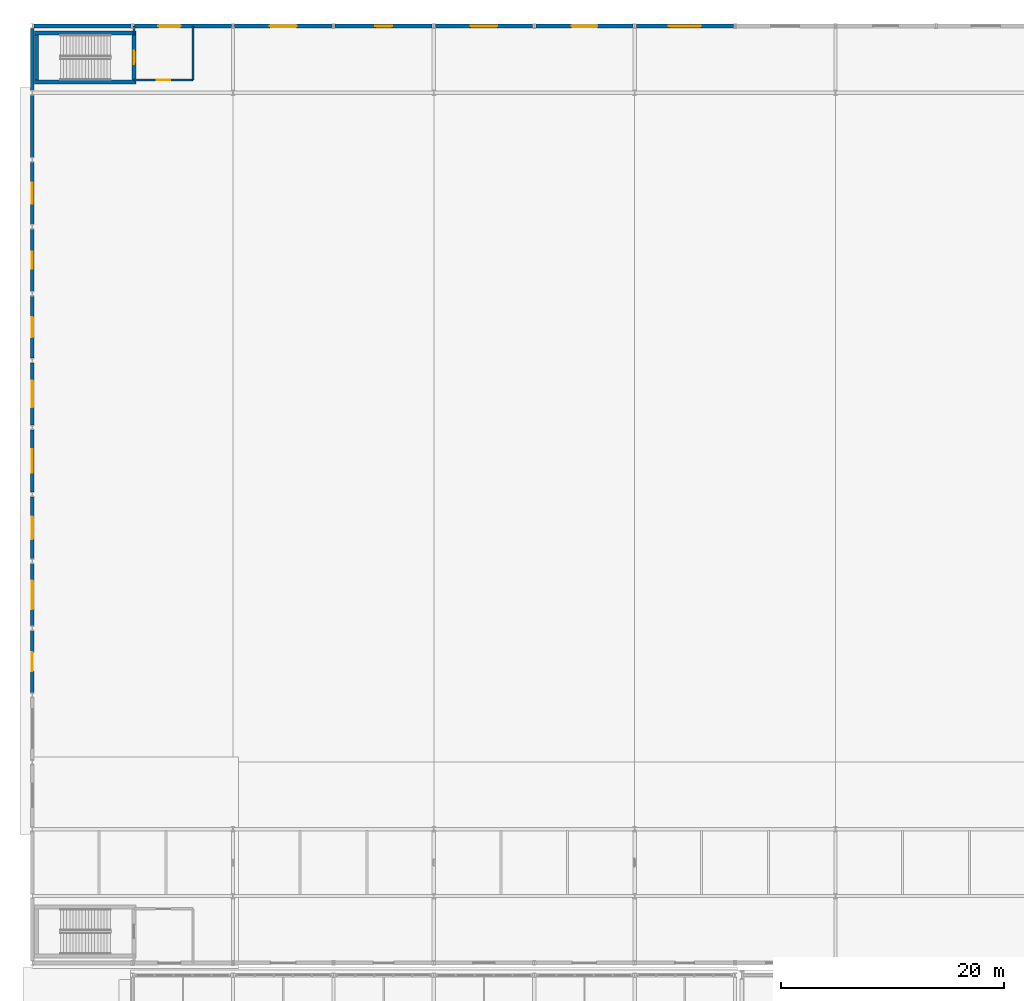
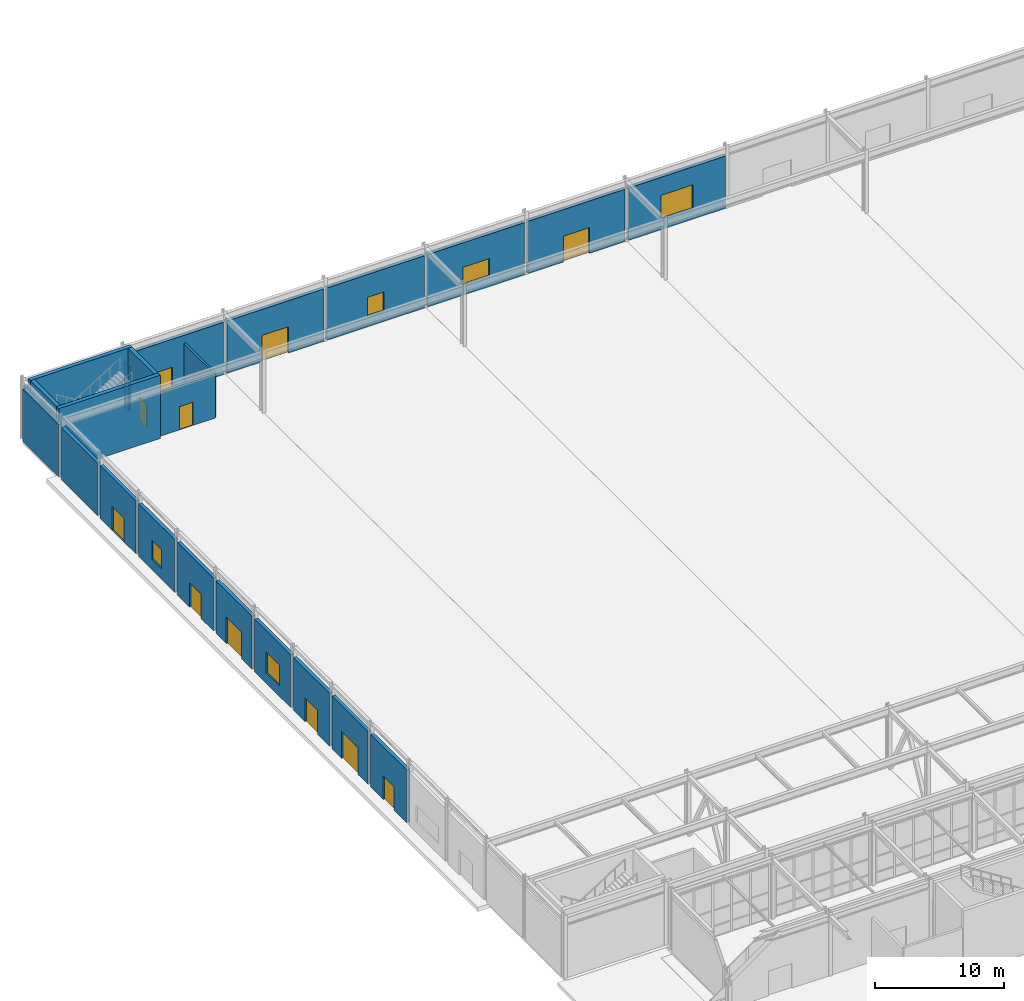
# One storey, part 122 of 146: 24 walls, 11 doors, 5 windows, 16 openings.
"""IFC4 building model written with IfcOpenShell, lengths in metres."""

from ifc_helpers import new_model, si_unit, direction, frame, frame_2d, origin, place, context, subcontext, project, spatial, rectangle, extrude, material, layer, layer_set, type_object, element, fill, save


model = new_model("IFC4")

# Units and contexts
model_context = context("Model", 3, precision=1e-05, world=origin(), true_north=direction((0.0, 1.0)))
body_context = subcontext(model_context, "Body", "Model", "MODEL_VIEW")
ifc_project = project(units=[si_unit("LENGTHUNIT", "METRE"), si_unit("AREAUNIT", "SQUARE_METRE"), si_unit("VOLUMEUNIT", "CUBIC_METRE"), si_unit("PLANEANGLEUNIT", "RADIAN"), si_unit("MASSUNIT", "GRAM", prefix="KILO")], contexts=[model_context])

# Site, building, storey
site_placement = place(None, origin())
site = spatial("IfcSite", under=ifc_project, at=site_placement, CompositionType="ELEMENT")
building_placement = place(site_placement, origin())
building = spatial("IfcBuilding", under=site, at=building_placement, Name="Kaldris Quays Convention Centre", CompositionType="ELEMENT")
storey_placement = place(building_placement, origin())
storey = spatial("IfcBuildingStorey", under=building, at=storey_placement, Name="L00", CompositionType="ELEMENT", Elevation=0.0)

# Wall
ifc_material_1 = material(Name="Concrete C35/45", Category="concrete")
ifc_layer_1 = layer(ifc_material_1, 0.344970703125)
ifc_layer_set_1 = layer_set([ifc_layer_1], Name="Concrete C35/45")
wall_type_1 = type_object("IfcWallType", Name="EXTERIOR WALL EW01", PredefinedType="STANDARD", material=ifc_layer_set_1)
wall_1_placement = place(storey_placement, frame((20.1494140625, 140.0, 0.0), z_axis=(0.0, 0.0, 1.0), x_axis=(1.0, 0.0, 0.0)))
element("IfcWall", 1, at=wall_1_placement, inside=storey, type_object=wall_type_1, Name="L00 Exterior Wall EW01 2", PredefinedType="STANDARD", context=body_context, shape_type="SweptSolid", body=[
    extrude(rectangle(XDim=8.701171875, YDim=0.344970703125, at=frame_2d((4.3505859375, 0.0))), origin(), (0.0, 0.0, 1.0), 4.9580078125),
])

# Wall, opening, door
wall_2_placement = place(storey_placement, frame((29.1494140625, 140.0, 0.0), z_axis=(0.0, 0.0, 1.0), x_axis=(1.0, 0.0, 0.0)))
wall_2 = element("IfcWall", 2, at=wall_2_placement, inside=storey, type_object=wall_type_1, Name="L00 Exterior Wall EW01 6", PredefinedType="STANDARD", context=body_context, shape_type="SweptSolid", body=[
    extrude(rectangle(XDim=8.701171875, YDim=0.344970703125, at=frame_2d((4.3505859375, 0.0))), origin(), (0.0, 0.0, 1.0), 4.9580078125),
])
opening_1_placement = place(wall_2_placement, frame((2.150146484375, 0.0, 0.0)))
opening_1 = element("IfcOpeningElement", 3, at=opening_1_placement, cuts=wall_2, Name="Opening ED01", PredefinedType="OPENING", context=body_context, shape_type="SweptSolid", body=[
    extrude(rectangle(XDim=2.0, YDim=2.300048828125, at=frame_2d((1.0, 1.14990234375))), frame((0.0, 0.1826171875, 0.0), z_axis=(0.0, -1.0, 0.0), x_axis=(1.0, 0.0, 0.0)), (0.0, 0.0, 1.0), 0.364990234375),
])
ifc_material_2 = material(Name="Thermally broken anodized aluminium and laminated safety glass", Category="aluminium")
door_type_1 = type_object("IfcDoorType", Name="EXTERIOR DOOR ED01", OperationType="DOUBLE_DOOR_SINGLE_SWING", PredefinedType="DOOR", material=ifc_material_2)
door_1_placement = place(opening_1_placement, origin())
door_1 = element("IfcDoor", 4, at=door_1_placement, inside=storey, type_object=door_type_1, Name="L00 Stair ST03 Final Exterior Exit Door ED01", OperationType="DOUBLE_DOOR_SINGLE_SWING", OverallHeight=2.300048828125, OverallWidth=2.0, PredefinedType="DOOR", context=body_context, shape_type="SweptSolid", body=[
    extrude(rectangle(XDim=2.0, YDim=2.300048828125, at=frame_2d((1.0, 1.14990234375))), frame((0.0, 0.02490234375, 0.0), z_axis=(0.0, -1.0, 0.0), x_axis=(1.0, 0.0, 0.0)), (0.0, 0.0, 1.0), 0.050048828125),
])
fill(opening_1, door_1)

wall_3_placement = place(storey_placement, frame((38.1494140625, 140.0, 0.0), z_axis=(0.0, 0.0, 1.0), x_axis=(1.0, 0.0, 0.0)))
wall_3 = element("IfcWall", 5, at=wall_3_placement, inside=storey, type_object=wall_type_1, Name="L00 Exterior Wall EW01 8", PredefinedType="STANDARD", context=body_context, shape_type="SweptSolid", body=[
    extrude(rectangle(XDim=8.701171875, YDim=0.344970703125, at=frame_2d((4.3505859375, 0.0))), origin(), (0.0, 0.0, 1.0), 4.9580078125),
])
opening_2_placement = place(wall_3_placement, frame((3.150390625, 0.0, 0.0)))
opening_2 = element("IfcOpeningElement", 6, at=opening_2_placement, cuts=wall_3, Name="Opening ED03", PredefinedType="OPENING", context=body_context, shape_type="SweptSolid", body=[
    extrude(rectangle(XDim=2.39990234375, YDim=2.5, at=frame_2d((1.199951171875, 1.25))), frame((0.0, 0.1826171875, 0.0), z_axis=(0.0, -1.0, 0.0), x_axis=(1.0, 0.0, 0.0)), (0.0, 0.0, 1.0), 0.364990234375),
])
door_type_2 = type_object("IfcDoorType", Name="EXTERIOR DOOR ED03", OperationType="DOUBLE_DOOR_SINGLE_SWING", PredefinedType="DOOR", material=ifc_material_2)
door_2_placement = place(opening_2_placement, origin())
door_2 = element("IfcDoor", 7, at=door_2_placement, inside=storey, type_object=door_type_2, Name="L00 Exterior Exit Door ED03 2", OperationType="DOUBLE_DOOR_SINGLE_SWING", OverallHeight=2.5, OverallWidth=2.39990234375, PredefinedType="DOOR", context=body_context, shape_type="SweptSolid", body=[
    extrude(rectangle(XDim=2.39990234375, YDim=2.5, at=frame_2d((1.199951171875, 1.25))), frame((0.0, 0.02490234375, 0.0), z_axis=(0.0, -1.0, 0.0), x_axis=(1.0, 0.0, 0.0)), (0.0, 0.0, 1.0), 0.050048828125),
])
fill(opening_2, door_2)

# Wall, opening, window
wall_4_placement = place(storey_placement, frame((47.1494140625, 140.0, 0.0), z_axis=(0.0, 0.0, 1.0), x_axis=(1.0, 0.0, 0.0)))
wall_4 = element("IfcWall", 8, at=wall_4_placement, inside=storey, type_object=wall_type_1, Name="L00 Exterior Wall EW01 12", PredefinedType="STANDARD", context=body_context, shape_type="SweptSolid", body=[
    extrude(rectangle(XDim=8.701171875, YDim=0.344970703125, at=frame_2d((4.3505859375, 0.0))), origin(), (0.0, 0.0, 1.0), 4.9580078125),
])
opening_3_placement = place(wall_4_placement, frame((3.6005859375, 0.0, 1.0)))
opening_3 = element("IfcOpeningElement", 9, at=opening_3_placement, cuts=wall_4, Name="Opening WN08", PredefinedType="OPENING", context=body_context, shape_type="SweptSolid", body=[
    extrude(rectangle(XDim=1.5, YDim=1.800048828125, at=frame_2d((0.75, 0.89990234375))), frame((0.0, 0.1826171875, 0.0), z_axis=(0.0, -1.0, 0.0), x_axis=(1.0, 0.0, 0.0)), (0.0, 0.0, 1.0), 0.364990234375),
])
ifc_material_3 = material(Name="Triple low-E insulated glazing", Category="glass")
window_type_1 = type_object("IfcWindowType", Name="TRIPLE GLAZED WINDOW WN08", PartitioningType="SINGLE_PANEL", PredefinedType="WINDOW", material=ifc_material_3)
window_1_placement = place(opening_3_placement, origin())
window_1 = element("IfcWindow", 10, at=window_1_placement, inside=storey, type_object=window_type_1, Name="L00 Exterior Window WN08 3", OverallHeight=1.800048828125, OverallWidth=1.5, PartitioningType="SINGLE_PANEL", PredefinedType="WINDOW", context=body_context, shape_type="SweptSolid", body=[
    extrude(rectangle(XDim=1.5, YDim=1.800048828125, at=frame_2d((0.75, 0.89990234375))), frame((0.0, 0.030029296875, 0.0), z_axis=(0.0, -1.0, 0.0), x_axis=(1.0, 0.0, 0.0)), (0.0, 0.0, 1.0), 0.06005859375),
])
fill(opening_3, window_1)

wall_5_placement = place(storey_placement, frame((56.1494140625, 140.0, 0.0), z_axis=(0.0, 0.0, 1.0), x_axis=(1.0, 0.0, 0.0)))
wall_5 = element("IfcWall", 11, at=wall_5_placement, inside=storey, type_object=wall_type_1, Name="L00 Exterior Wall EW01 14", PredefinedType="STANDARD", context=body_context, shape_type="SweptSolid", body=[
    extrude(rectangle(XDim=8.701171875, YDim=0.344970703125, at=frame_2d((4.3505859375, 0.0))), origin(), (0.0, 0.0, 1.0), 4.9580078125),
])
opening_4_placement = place(wall_5_placement, frame((3.150390625, 0.0, 1.0)))
opening_4 = element("IfcOpeningElement", 12, at=opening_4_placement, cuts=wall_5, Name="Opening WN09", PredefinedType="OPENING", context=body_context, shape_type="SweptSolid", body=[
    extrude(rectangle(XDim=2.39990234375, YDim=1.64990234375, at=frame_2d((1.199951171875, 0.824951171875))), frame((0.0, 0.1826171875, 0.0), z_axis=(0.0, -1.0, 0.0), x_axis=(1.0, 0.0, 0.0)), (0.0, 0.0, 1.0), 0.364990234375),
])
window_type_2 = type_object("IfcWindowType", Name="TRIPLE GLAZED WINDOW WN09", PartitioningType="SINGLE_PANEL", PredefinedType="WINDOW", material=ifc_material_3)
window_2_placement = place(opening_4_placement, origin())
window_2 = element("IfcWindow", 13, at=window_2_placement, inside=storey, type_object=window_type_2, Name="L00 Exterior Window WN09 4", OverallHeight=1.64990234375, OverallWidth=2.39990234375, PartitioningType="SINGLE_PANEL", PredefinedType="WINDOW", context=body_context, shape_type="SweptSolid", body=[
    extrude(rectangle(XDim=2.39990234375, YDim=1.64990234375, at=frame_2d((1.199951171875, 0.824951171875))), frame((0.0, 0.030029296875, 0.0), z_axis=(0.0, -1.0, 0.0), x_axis=(1.0, 0.0, 0.0)), (0.0, 0.0, 1.0), 0.06005859375),
])
fill(opening_4, window_2)

# Wall, opening, door
wall_6_placement = place(storey_placement, frame((65.1494140625, 140.0, 0.0), z_axis=(0.0, 0.0, 1.0), x_axis=(1.0, 0.0, 0.0)))
wall_6 = element("IfcWall", 14, at=wall_6_placement, inside=storey, type_object=wall_type_1, Name="L00 Exterior Wall EW01 18", PredefinedType="STANDARD", context=body_context, shape_type="SweptSolid", body=[
    extrude(rectangle(XDim=8.701171875, YDim=0.344970703125, at=frame_2d((4.3505859375, 0.0))), origin(), (0.0, 0.0, 1.0), 4.9580078125),
])
opening_5_placement = place(wall_6_placement, frame((3.1904296875, 0.0, 0.0)))
opening_5 = element("IfcOpeningElement", 15, at=opening_5_placement, cuts=wall_6, Name="Opening ED09", PredefinedType="OPENING", context=body_context, shape_type="SweptSolid", body=[
    extrude(rectangle(XDim=2.320068359375, YDim=2.43994140625, at=frame_2d((1.16015625, 1.219970703125))), frame((0.0, 0.1826171875, 0.0), z_axis=(0.0, -1.0, 0.0), x_axis=(1.0, 0.0, 0.0)), (0.0, 0.0, 1.0), 0.364990234375),
])
door_type_3 = type_object("IfcDoorType", Name="EXTERIOR DOOR ED09", OperationType="DOUBLE_DOOR_SINGLE_SWING", PredefinedType="DOOR", material=ifc_material_2)
door_3_placement = place(opening_5_placement, origin())
door_3 = element("IfcDoor", 16, at=door_3_placement, inside=storey, type_object=door_type_3, Name="L00 Exterior Exit Door ED09 6", OperationType="DOUBLE_DOOR_SINGLE_SWING", OverallHeight=2.43994140625, OverallWidth=2.320068359375, PredefinedType="DOOR", context=body_context, shape_type="SweptSolid", body=[
    extrude(rectangle(XDim=2.320068359375, YDim=2.43994140625, at=frame_2d((1.16015625, 1.219970703125))), frame((0.0, 0.02490234375, 0.0), z_axis=(0.0, -1.0, 0.0), x_axis=(1.0, 0.0, 0.0)), (0.0, 0.0, 1.0), 0.050048828125),
])
fill(opening_5, door_3)

# Wall, opening, window
wall_7_placement = place(storey_placement, frame((74.1494140625, 140.0, 0.0), z_axis=(0.0, 0.0, 1.0), x_axis=(1.0, 0.0, 0.0)))
wall_7 = element("IfcWall", 17, at=wall_7_placement, inside=storey, type_object=wall_type_1, Name="L00 Exterior Wall EW01 20", PredefinedType="STANDARD", context=body_context, shape_type="SweptSolid", body=[
    extrude(rectangle(XDim=8.701171875, YDim=0.344970703125, at=frame_2d((4.3505859375, 0.0))), origin(), (0.0, 0.0, 1.0), 4.9580078125),
])
opening_6_placement = place(wall_7_placement, frame((2.925537109375, 0.0, 1.0)))
opening_6 = element("IfcOpeningElement", 18, at=opening_6_placement, cuts=wall_7, Name="Opening WN12", PredefinedType="OPENING", context=body_context, shape_type="SweptSolid", body=[
    extrude(rectangle(XDim=2.85009765625, YDim=2.25, at=frame_2d((1.425048828125, 1.125))), frame((0.0, 0.1826171875, 0.0), z_axis=(0.0, -1.0, 0.0), x_axis=(1.0, 0.0, 0.0)), (0.0, 0.0, 1.0), 0.364990234375),
])
window_type_3 = type_object("IfcWindowType", Name="TRIPLE GLAZED WINDOW WN12", PartitioningType="SINGLE_PANEL", PredefinedType="WINDOW", material=ifc_material_3)
window_3_placement = place(opening_6_placement, origin())
window_3 = element("IfcWindow", 19, at=window_3_placement, inside=storey, type_object=window_type_3, Name="L00 Exterior Window WN12 7", OverallHeight=2.25, OverallWidth=2.85009765625, PartitioningType="SINGLE_PANEL", PredefinedType="WINDOW", context=body_context, shape_type="SweptSolid", body=[
    extrude(rectangle(XDim=2.85009765625, YDim=2.25, at=frame_2d((1.425048828125, 1.125))), frame((0.0, 0.030029296875, 0.0), z_axis=(0.0, -1.0, 0.0), x_axis=(1.0, 0.0, 0.0)), (0.0, 0.0, 1.0), 0.06005859375),
])
fill(opening_6, window_3)

# Wall, opening, door
ifc_layer_2 = layer(ifc_material_1, 0.31201171875)
ifc_layer_set_2 = layer_set([ifc_layer_2], Name="Concrete C35/45")
wall_type_2 = type_object("IfcWallType", Name="EXTERIOR WALL EW02", PredefinedType="STANDARD", material=ifc_layer_set_2)
wall_8_placement = place(storey_placement, frame((20.0, 80.2119140625, 0.0), z_axis=(0.0, 0.0, 1.0), x_axis=(0.0, 1.0, 0.0)))
wall_8 = element("IfcWall", 20, at=wall_8_placement, inside=storey, type_object=wall_type_2, Name="L00 Exterior Wall EW02 57", PredefinedType="STANDARD", context=body_context, shape_type="SweptSolid", body=[
    extrude(rectangle(XDim=5.576171875, YDim=0.31201171875, at=frame_2d((2.7880859375, 0.0))), origin(), (0.0, 0.0, 1.0), 5.0),
])
opening_7_placement = place(wall_8_placement, frame((1.947998046875, 0.0, 0.0)))
opening_7 = element("IfcOpeningElement", 21, at=opening_7_placement, cuts=wall_8, Name="Opening ED10", PredefinedType="OPENING", context=body_context, shape_type="SweptSolid", body=[
    extrude(rectangle(XDim=1.679931640625, YDim=2.219970703125, at=frame_2d((0.83984375, 1.10986328125))), frame((0.0, 0.166015625, 0.0), z_axis=(0.0, -1.0, 0.0), x_axis=(1.0, 0.0, 0.0)), (0.0, 0.0, 1.0), 0.33203125),
])
door_type_4 = type_object("IfcDoorType", Name="EXTERIOR DOOR ED10", OperationType="DOUBLE_DOOR_SINGLE_SWING", PredefinedType="DOOR", material=ifc_material_2)
door_4_placement = place(opening_7_placement, origin())
door_4 = element("IfcDoor", 22, at=door_4_placement, inside=storey, type_object=door_type_4, Name="L00 Exterior Exit Door ED10 15", OperationType="DOUBLE_DOOR_SINGLE_SWING", OverallHeight=2.219970703125, OverallWidth=1.679931640625, PredefinedType="DOOR", context=body_context, shape_type="SweptSolid", body=[
    extrude(rectangle(XDim=1.679931640625, YDim=2.219970703125, at=frame_2d((0.83984375, 1.10986328125))), frame((0.0, 0.02490234375, 0.0), z_axis=(0.0, -1.0, 0.0), x_axis=(1.0, 0.0, 0.0)), (0.0, 0.0, 1.0), 0.050048828125),
])
fill(opening_7, door_4)

wall_9_placement = place(storey_placement, frame((20.0, 86.2119140625, 0.0), z_axis=(0.0, 0.0, 1.0), x_axis=(0.0, 1.0, 0.0)))
wall_9 = element("IfcWall", 23, at=wall_9_placement, inside=storey, type_object=wall_type_2, Name="L00 Exterior Wall EW02 60", PredefinedType="STANDARD", context=body_context, shape_type="SweptSolid", body=[
    extrude(rectangle(XDim=5.576171875, YDim=0.31201171875, at=frame_2d((2.7880859375, 0.0))), origin(), (0.0, 0.0, 1.0), 5.0),
])
opening_8_placement = place(wall_9_placement, frame((1.512939453125, 0.0, 0.0)))
opening_8 = element("IfcOpeningElement", 24, at=opening_8_placement, cuts=wall_9, Name="Opening ED11", PredefinedType="OPENING", context=body_context, shape_type="SweptSolid", body=[
    extrude(rectangle(XDim=2.550048828125, YDim=2.550048828125, at=frame_2d((1.27490234375, 1.27490234375))), frame((0.0, 0.166015625, 0.0), z_axis=(0.0, -1.0, 0.0), x_axis=(1.0, 0.0, 0.0)), (0.0, 0.0, 1.0), 0.33203125),
])
door_type_5 = type_object("IfcDoorType", Name="EXTERIOR DOOR ED11", OperationType="DOUBLE_DOOR_SINGLE_SWING", PredefinedType="DOOR", material=ifc_material_2)
door_5_placement = place(opening_8_placement, origin())
door_5 = element("IfcDoor", 25, at=door_5_placement, inside=storey, type_object=door_type_5, Name="L00 Exterior Exit Door ED11 16", OperationType="DOUBLE_DOOR_SINGLE_SWING", OverallHeight=2.550048828125, OverallWidth=2.550048828125, PredefinedType="DOOR", context=body_context, shape_type="SweptSolid", body=[
    extrude(rectangle(XDim=2.550048828125, YDim=2.550048828125, at=frame_2d((1.27490234375, 1.27490234375))), frame((0.0, 0.02490234375, 0.0), z_axis=(0.0, -1.0, 0.0), x_axis=(1.0, 0.0, 0.0)), (0.0, 0.0, 1.0), 0.050048828125),
])
fill(opening_8, door_5)

wall_10_placement = place(storey_placement, frame((20.0, 92.2119140625, 0.0), z_axis=(0.0, 0.0, 1.0), x_axis=(0.0, 1.0, 0.0)))
wall_10 = element("IfcWall", 26, at=wall_10_placement, inside=storey, type_object=wall_type_2, Name="L00 Exterior Wall EW02 64", PredefinedType="STANDARD", context=body_context, shape_type="SweptSolid", body=[
    extrude(rectangle(XDim=5.576171875, YDim=0.31201171875, at=frame_2d((2.7880859375, 0.0))), origin(), (0.0, 0.0, 1.0), 5.0),
])
opening_9_placement = place(wall_10_placement, frame((1.7880859375, 0.0, 0.0)))
opening_9 = element("IfcOpeningElement", 27, at=opening_9_placement, cuts=wall_10, Name="Opening ED01", PredefinedType="OPENING", context=body_context, shape_type="SweptSolid", body=[
    extrude(rectangle(XDim=2.0, YDim=2.300048828125, at=frame_2d((1.0, 1.14990234375))), frame((0.0, 0.166015625, 0.0), z_axis=(0.0, -1.0, 0.0), x_axis=(1.0, 0.0, 0.0)), (0.0, 0.0, 1.0), 0.33203125),
])
door_6_placement = place(opening_9_placement, origin())
door_6 = element("IfcDoor", 28, at=door_6_placement, inside=storey, type_object=door_type_1, Name="L00 Exterior Exit Door ED01 17", OperationType="DOUBLE_DOOR_SINGLE_SWING", OverallHeight=2.300048828125, OverallWidth=2.0, PredefinedType="DOOR", context=body_context, shape_type="SweptSolid", body=[
    extrude(rectangle(XDim=2.0, YDim=2.300048828125, at=frame_2d((1.0, 1.14990234375))), frame((0.0, 0.02490234375, 0.0), z_axis=(0.0, -1.0, 0.0), x_axis=(1.0, 0.0, 0.0)), (0.0, 0.0, 1.0), 0.050048828125),
])
fill(opening_9, door_6)

# Wall, opening, window
wall_11_placement = place(storey_placement, frame((20.0, 98.2119140625, 0.0), z_axis=(0.0, 0.0, 1.0), x_axis=(0.0, 1.0, 0.0)))
wall_11 = element("IfcWall", 29, at=wall_11_placement, inside=storey, type_object=wall_type_2, Name="L00 Exterior Wall EW02 67", PredefinedType="STANDARD", context=body_context, shape_type="SweptSolid", body=[
    extrude(rectangle(XDim=5.576171875, YDim=0.31201171875, at=frame_2d((2.7880859375, 0.0))), origin(), (0.0, 0.0, 1.0), 5.0),
])
opening_10_placement = place(wall_11_placement, frame((1.738037109375, 0.0, 1.0)))
opening_10 = element("IfcOpeningElement", 30, at=opening_10_placement, cuts=wall_11, Name="Opening WN04", PredefinedType="OPENING", context=body_context, shape_type="SweptSolid", body=[
    extrude(rectangle(XDim=2.10009765625, YDim=1.949951171875, at=frame_2d((1.050048828125, 0.97509765625))), frame((0.0, 0.166015625, 0.0), z_axis=(0.0, -1.0, 0.0), x_axis=(1.0, 0.0, 0.0)), (0.0, 0.0, 1.0), 0.33203125),
])
window_type_4 = type_object("IfcWindowType", Name="TRIPLE GLAZED WINDOW WN04", PartitioningType="SINGLE_PANEL", PredefinedType="WINDOW", material=ifc_material_3)
window_4_placement = place(opening_10_placement, origin())
window_4 = element("IfcWindow", 31, at=window_4_placement, inside=storey, type_object=window_type_4, Name="L00 Exterior Window WN04 20", OverallHeight=1.949951171875, OverallWidth=2.10009765625, PartitioningType="SINGLE_PANEL", PredefinedType="WINDOW", context=body_context, shape_type="SweptSolid", body=[
    extrude(rectangle(XDim=2.10009765625, YDim=1.949951171875, at=frame_2d((1.050048828125, 0.97509765625))), frame((0.0, 0.030029296875, 0.0), z_axis=(0.0, -1.0, 0.0), x_axis=(1.0, 0.0, 0.0)), (0.0, 0.0, 1.0), 0.06005859375),
])
fill(opening_10, window_4)

# Wall, opening, door
wall_12_placement = place(storey_placement, frame((20.0, 104.2119140625, 0.0), z_axis=(0.0, 0.0, 1.0), x_axis=(0.0, 1.0, 0.0)))
wall_12 = element("IfcWall", 32, at=wall_12_placement, inside=storey, type_object=wall_type_2, Name="L00 Exterior Wall EW02 71", PredefinedType="STANDARD", context=body_context, shape_type="SweptSolid", body=[
    extrude(rectangle(XDim=5.576171875, YDim=0.31201171875, at=frame_2d((2.7880859375, 0.0))), origin(), (0.0, 0.0, 1.0), 5.0),
])
opening_11_placement = place(wall_12_placement, frame((1.587890625, 0.0, 0.0)))
opening_11 = element("IfcOpeningElement", 33, at=opening_11_placement, cuts=wall_12, Name="Opening ED03", PredefinedType="OPENING", context=body_context, shape_type="SweptSolid", body=[
    extrude(rectangle(XDim=2.39990234375, YDim=2.5, at=frame_2d((1.199951171875, 1.25))), frame((0.0, 0.166015625, 0.0), z_axis=(0.0, -1.0, 0.0), x_axis=(1.0, 0.0, 0.0)), (0.0, 0.0, 1.0), 0.33203125),
])
door_7_placement = place(opening_11_placement, origin())
door_7 = element("IfcDoor", 34, at=door_7_placement, inside=storey, type_object=door_type_2, Name="L00 Exterior Exit Door ED03 19", OperationType="DOUBLE_DOOR_SINGLE_SWING", OverallHeight=2.5, OverallWidth=2.39990234375, PredefinedType="DOOR", context=body_context, shape_type="SweptSolid", body=[
    extrude(rectangle(XDim=2.39990234375, YDim=2.5, at=frame_2d((1.199951171875, 1.25))), frame((0.0, 0.02490234375, 0.0), z_axis=(0.0, -1.0, 0.0), x_axis=(1.0, 0.0, 0.0)), (0.0, 0.0, 1.0), 0.050048828125),
])
fill(opening_11, door_7)

wall_13_placement = place(storey_placement, frame((20.0, 110.2119140625, 0.0), z_axis=(0.0, 0.0, 1.0), x_axis=(0.0, 1.0, 0.0)))
wall_13 = element("IfcWall", 35, at=wall_13_placement, inside=storey, type_object=wall_type_2, Name="L00 Exterior Wall EW02 74", PredefinedType="STANDARD", context=body_context, shape_type="SweptSolid", body=[
    extrude(rectangle(XDim=5.576171875, YDim=0.31201171875, at=frame_2d((2.7880859375, 0.0))), origin(), (0.0, 0.0, 1.0), 5.0),
])
opening_12_placement = place(wall_13_placement, frame((1.887939453125, 0.0, 0.0)))
opening_12 = element("IfcOpeningElement", 36, at=opening_12_placement, cuts=wall_13, Name="Opening ED04", PredefinedType="OPENING", context=body_context, shape_type="SweptSolid", body=[
    extrude(rectangle(XDim=1.800048828125, YDim=2.300048828125, at=frame_2d((0.89990234375, 1.14990234375))), frame((0.0, 0.166015625, 0.0), z_axis=(0.0, -1.0, 0.0), x_axis=(1.0, 0.0, 0.0)), (0.0, 0.0, 1.0), 0.33203125),
])
door_type_6 = type_object("IfcDoorType", Name="EXTERIOR DOOR ED04", OperationType="DOUBLE_DOOR_SINGLE_SWING", PredefinedType="DOOR", material=ifc_material_2)
door_8_placement = place(opening_12_placement, origin())
door_8 = element("IfcDoor", 37, at=door_8_placement, inside=storey, type_object=door_type_6, Name="L00 Exterior Exit Door ED04 20", OperationType="DOUBLE_DOOR_SINGLE_SWING", OverallHeight=2.300048828125, OverallWidth=1.800048828125, PredefinedType="DOOR", context=body_context, shape_type="SweptSolid", body=[
    extrude(rectangle(XDim=1.800048828125, YDim=2.300048828125, at=frame_2d((0.89990234375, 1.14990234375))), frame((0.0, 0.02490234375, 0.0), z_axis=(0.0, -1.0, 0.0), x_axis=(1.0, 0.0, 0.0)), (0.0, 0.0, 1.0), 0.050048828125),
])
fill(opening_12, door_8)

# Wall, opening, window
wall_14_placement = place(storey_placement, frame((20.0, 116.2119140625, 0.0), z_axis=(0.0, 0.0, 1.0), x_axis=(0.0, 1.0, 0.0)))
wall_14 = element("IfcWall", 38, at=wall_14_placement, inside=storey, type_object=wall_type_2, Name="L00 Exterior Wall EW02 78", PredefinedType="STANDARD", context=body_context, shape_type="SweptSolid", body=[
    extrude(rectangle(XDim=5.576171875, YDim=0.31201171875, at=frame_2d((2.7880859375, 0.0))), origin(), (0.0, 0.0, 1.0), 5.0),
])
opening_13_placement = place(wall_14_placement, frame((2.0380859375, 0.0, 1.0)))
opening_13 = element("IfcOpeningElement", 39, at=opening_13_placement, cuts=wall_14, Name="Opening WN08", PredefinedType="OPENING", context=body_context, shape_type="SweptSolid", body=[
    extrude(rectangle(XDim=1.5, YDim=1.800048828125, at=frame_2d((0.75, 0.89990234375))), frame((0.0, 0.166015625, 0.0), z_axis=(0.0, -1.0, 0.0), x_axis=(1.0, 0.0, 0.0)), (0.0, 0.0, 1.0), 0.33203125),
])
window_5_placement = place(opening_13_placement, origin())
window_5 = element("IfcWindow", 40, at=window_5_placement, inside=storey, type_object=window_type_1, Name="L00 Exterior Window WN08 23", OverallHeight=1.800048828125, OverallWidth=1.5, PartitioningType="SINGLE_PANEL", PredefinedType="WINDOW", context=body_context, shape_type="SweptSolid", body=[
    extrude(rectangle(XDim=1.5, YDim=1.800048828125, at=frame_2d((0.75, 0.89990234375))), frame((0.0, 0.030029296875, 0.0), z_axis=(0.0, -1.0, 0.0), x_axis=(1.0, 0.0, 0.0)), (0.0, 0.0, 1.0), 0.06005859375),
])
fill(opening_13, window_5)

# Wall, opening, door
wall_15_placement = place(storey_placement, frame((20.0, 122.2119140625, 0.0), z_axis=(0.0, 0.0, 1.0), x_axis=(0.0, 1.0, 0.0)))
wall_15 = element("IfcWall", 41, at=wall_15_placement, inside=storey, type_object=wall_type_2, Name="L00 Exterior Wall EW02 81", PredefinedType="STANDARD", context=body_context, shape_type="SweptSolid", body=[
    extrude(rectangle(XDim=5.576171875, YDim=0.31201171875, at=frame_2d((2.7880859375, 0.0))), origin(), (0.0, 0.0, 1.0), 5.0),
])
opening_14_placement = place(wall_15_placement, frame((1.827880859375, 0.0, 0.0)))
opening_14 = element("IfcOpeningElement", 42, at=opening_14_placement, cuts=wall_15, Name="Opening ED07", PredefinedType="OPENING", context=body_context, shape_type="SweptSolid", body=[
    extrude(rectangle(XDim=1.919921875, YDim=2.239990234375, at=frame_2d((0.9599609375, 1.1201171875))), frame((0.0, 0.166015625, 0.0), z_axis=(0.0, -1.0, 0.0), x_axis=(1.0, 0.0, 0.0)), (0.0, 0.0, 1.0), 0.33203125),
])
door_type_7 = type_object("IfcDoorType", Name="EXTERIOR DOOR ED07", OperationType="DOUBLE_DOOR_SINGLE_SWING", PredefinedType="DOOR", material=ifc_material_2)
door_9_placement = place(opening_14_placement, origin())
door_9 = element("IfcDoor", 43, at=door_9_placement, inside=storey, type_object=door_type_7, Name="L00 Exterior Exit Door ED07 21", OperationType="DOUBLE_DOOR_SINGLE_SWING", OverallHeight=2.239990234375, OverallWidth=1.919921875, PredefinedType="DOOR", context=body_context, shape_type="SweptSolid", body=[
    extrude(rectangle(XDim=1.919921875, YDim=2.239990234375, at=frame_2d((0.9599609375, 1.1201171875))), frame((0.0, 0.02490234375, 0.0), z_axis=(0.0, -1.0, 0.0), x_axis=(1.0, 0.0, 0.0)), (0.0, 0.0, 1.0), 0.050048828125),
])
fill(opening_14, door_9)

# Walls
for number, where, z_axis, x_axis, name in (
    (44, (20.0, 128.2119140625, 0.0), (0.0, 0.0, 1.0), (0.0, 1.0, 0.0), "L00 Exterior Wall EW02 85"),
    (45, (20.0, 134.2119140625, 0.0), (0.0, 0.0, 1.0), (0.0, 1.0, 0.0), "L00 Exterior Wall EW02 88"),
):
    element("IfcWall", number, at=place(storey_placement, frame(where, z_axis=z_axis, x_axis=x_axis)), inside=storey, type_object=wall_type_2, Name=name, PredefinedType="STANDARD", context=body_context, shape_type="SweptSolid", body=[
        extrude(rectangle(XDim=5.576171875, YDim=0.31201171875, at=frame_2d((2.7880859375, 0.0))), origin(), (0.0, 0.0, 1.0), 4.9580078125),
    ])

# Wall, opening, door
ifc_layer_3 = layer(ifc_material_1, 0.199951171875)
ifc_layer_set_3 = layer_set([ifc_layer_3], Name="Concrete C35/45")
wall_type_3 = type_object("IfcWallType", Name="INTERIOR WALL IW01", PredefinedType="PARTITIONING", material=ifc_layer_set_3)
wall_16_placement = place(storey_placement, frame((29.125, 135.14990234375, 0.0), z_axis=(0.0, 0.0, 1.0), x_axis=(1.0, 0.0, 0.0)))
wall_16 = element("IfcWall", 46, at=wall_16_placement, inside=storey, type_object=wall_type_3, Name="L00 Protected Exit Lobby ST03 Fire Wall", PredefinedType="PARTITIONING", context=body_context, shape_type="SweptSolid", body=[
    extrude(rectangle(XDim=5.27490234375, YDim=0.199951171875, at=frame_2d((2.637451171875, 0.0))), origin(), (0.0, 0.0, 1.0), 4.199951171875),
])
opening_15_placement = place(wall_16_placement, frame((2.03759765625, 0.0, 0.0)))
opening_15 = element("IfcOpeningElement", 47, at=opening_15_placement, cuts=wall_16, Name="Opening ID03", PredefinedType="OPENING", context=body_context, shape_type="SweptSolid", body=[
    extrude(rectangle(XDim=1.199951171875, YDim=2.199951171875, at=frame_2d((0.60009765625, 1.10009765625))), frame((0.0, 0.10986328125, 0.0), z_axis=(0.0, -1.0, 0.0), x_axis=(1.0, 0.0, 0.0)), (0.0, 0.0, 1.0), 0.219970703125),
])
ifc_material_4 = material(Name="Steel S355J2 fire-resisting door", Category="steel")
door_type_8 = type_object("IfcDoorType", Name="INTERIOR DOOR ID03", OperationType="NOTDEFINED", PredefinedType="DOOR", material=ifc_material_4)
door_10_placement = place(opening_15_placement, origin())
door_10 = element("IfcDoor", 48, at=door_10_placement, inside=storey, type_object=door_type_8, Name="L00 Protected Exit Lobby ST03 Entry Fire Door", OperationType="SINGLE_SWING_LEFT", OverallHeight=2.199951171875, OverallWidth=1.199951171875, PredefinedType="DOOR", context=body_context, shape_type="SweptSolid", body=[
    extrude(rectangle(XDim=1.199951171875, YDim=2.199951171875, at=frame_2d((0.60009765625, 1.10009765625))), frame((0.0, 0.02490234375, 0.0), z_axis=(0.0, -1.0, 0.0), x_axis=(1.0, 0.0, 0.0)), (0.0, 0.0, 1.0), 0.050048828125),
])
fill(opening_15, door_10)

# Walls
wall_17_placement = place(storey_placement, frame((34.39990234375, 135.14990234375, 0.0), z_axis=(0.0, 0.0, 1.0), x_axis=(0.0, 1.0, 0.0)))
element("IfcWall", 49, at=wall_17_placement, inside=storey, type_object=wall_type_3, Name="L00 Protected Exit Lobby ST03 Side Wall 1", PredefinedType="PARTITIONING", context=body_context, shape_type="SweptSolid", body=[
    extrude(rectangle(XDim=4.85009765625, YDim=0.199951171875, at=frame_2d((2.425048828125, 0.0))), origin(), (0.0, 0.0, 1.0), 4.199951171875),
])
wall_18_placement = place(storey_placement, frame((29.125, 139.199951171875, 0.0), z_axis=(0.0, 0.0, 1.0), x_axis=(0.0, 1.0, 0.0)))
element("IfcWall", 50, at=wall_18_placement, inside=storey, type_object=wall_type_3, Name="L00 Protected Exit Lobby ST03 Side Wall 2", PredefinedType="PARTITIONING", context=body_context, shape_type="SweptSolid", body=[
    extrude(rectangle(XDim=0.800048828125, YDim=0.199951171875, at=frame_2d((0.39990234375, 0.0))), origin(), (0.0, 0.0, 1.0), 4.199951171875),
])
ifc_material_5 = material(Name="Concrete C40/50", Category="concrete")
ifc_layer_4 = layer(ifc_material_5, 0.35009765625)
ifc_layer_set_4 = layer_set([ifc_layer_4], Name="Concrete C40/50")
wall_type_4 = type_object("IfcWallType", Name="STRUCTURAL WALL SW01", PredefinedType="SHEAR", material=ifc_layer_set_4)
for number, where, z_axis, x_axis, name in (
    (51, (20.199951171875, 134.97509765625, 0.0), (0.0, 0.0, 1.0), (1.0, 0.0, 0.0), "L00 Core Shear Wall CORE-ST03-L00-S"),
    (52, (20.199951171875, 139.375, 0.0), (0.0, 0.0, 1.0), (1.0, 0.0, 0.0), "L00 Core Shear Wall CORE-ST03-L00-N"),
):
    element("IfcWall", number, at=place(storey_placement, frame(where, z_axis=z_axis, x_axis=x_axis)), inside=storey, type_object=wall_type_4, Name=name, PredefinedType="SHEAR", context=body_context, shape_type="SweptSolid", body=[
        extrude(rectangle(XDim=9.10009765625, YDim=0.35009765625, at=frame_2d((4.550048828125, 0.0))), origin(), (0.0, 0.0, 1.0), 6.0),
    ])
wall_19_placement = place(storey_placement, frame((20.375, 135.14990234375, 0.0), z_axis=(0.0, 0.0, 1.0), x_axis=(0.0, 1.0, 0.0)))
element("IfcWall", 53, at=wall_19_placement, inside=storey, type_object=wall_type_4, Name="L00 Core Shear Wall CORE-ST03-L00-W", PredefinedType="SHEAR", context=body_context, shape_type="SweptSolid", body=[
    extrude(rectangle(XDim=4.050048828125, YDim=0.35009765625, at=frame_2d((2.02490234375, 0.0))), origin(), (0.0, 0.0, 1.0), 6.0),
])

# Wall, opening, door
wall_20_placement = place(storey_placement, frame((29.125, 135.14990234375, 0.0), z_axis=(0.0, 0.0, 1.0), x_axis=(0.0, 1.0, 0.0)))
wall_20 = element("IfcWall", 54, at=wall_20_placement, inside=storey, type_object=wall_type_4, Name="L00 Core Shear Wall CORE-ST03-L00-E", PredefinedType="SHEAR", context=body_context, shape_type="SweptSolid", body=[
    extrude(rectangle(XDim=4.050048828125, YDim=0.35009765625, at=frame_2d((2.02490234375, 0.0))), origin(), (0.0, 0.0, 1.0), 6.0),
])
opening_16_placement = place(wall_20_placement, frame((1.425048828125, 0.0, 0.0)))
opening_16 = element("IfcOpeningElement", 55, at=opening_16_placement, cuts=wall_20, Name="Opening ID03", PredefinedType="OPENING", context=body_context, shape_type="SweptSolid", body=[
    extrude(rectangle(XDim=1.199951171875, YDim=2.199951171875, at=frame_2d((0.60009765625, 1.10009765625))), frame((0.0, 0.18505859375, 0.0), z_axis=(0.0, -1.0, 0.0), x_axis=(1.0, 0.0, 0.0)), (0.0, 0.0, 1.0), 0.3701171875),
])
door_11_placement = place(opening_16_placement, frame((1.199951171875, 0.0, 0.0), z_axis=(0.0, 0.0, 1.0), x_axis=(-1.0, 0.0, 0.0)))
door_11 = element("IfcDoor", 56, at=door_11_placement, inside=storey, type_object=door_type_8, Name="L00 Escape Stair ST03 Fire Door", OperationType="SINGLE_SWING_LEFT", OverallHeight=2.199951171875, OverallWidth=1.199951171875, PredefinedType="DOOR", context=body_context, shape_type="SweptSolid", body=[
    extrude(rectangle(XDim=1.199951171875, YDim=2.199951171875, at=frame_2d((0.60009765625, 1.10009765625))), frame((0.0, 0.02490234375, 0.0), z_axis=(0.0, -1.0, 0.0), x_axis=(1.0, 0.0, 0.0)), (0.0, 0.0, 1.0), 0.050048828125),
])
fill(opening_16, door_11)

save(model, "model.ifc")
